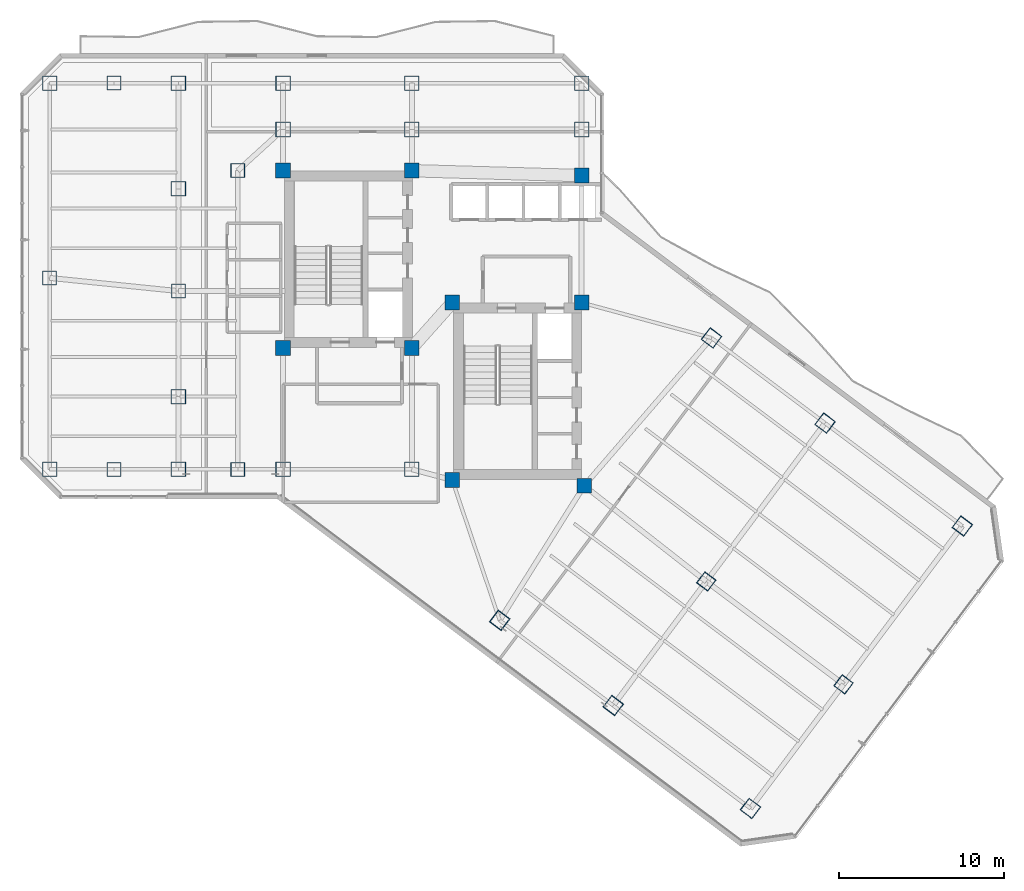
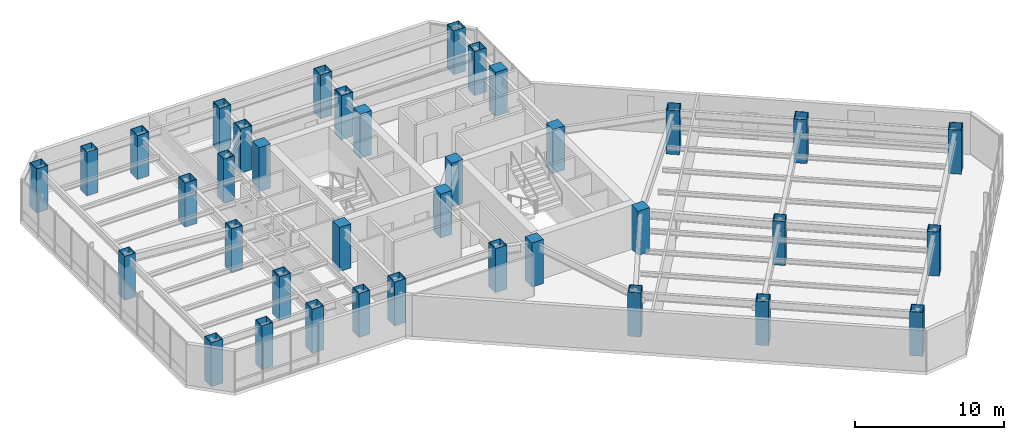
# One storey, part 1 of 29: 37 columns.
"""IFC4 building model written with IfcOpenShell, lengths in metres."""

from ifc_helpers import new_model, si_unit, direction, frame, origin, origin_2d, place, context, subcontext, project, spatial, rectangle, hollow_rectangle, extrude, material, material_profile, profile_set, type_object, element, save


model = new_model("IFC4")

# Units and contexts
model_context = context("Model", 3, precision=1e-05, world=origin(), true_north=direction((0.0, 1.0)))
body_context = subcontext(model_context, "Body", "Model", "MODEL_VIEW")
ifc_project = project(units=[si_unit("LENGTHUNIT", "METRE"), si_unit("AREAUNIT", "SQUARE_METRE"), si_unit("VOLUMEUNIT", "CUBIC_METRE"), si_unit("PLANEANGLEUNIT", "RADIAN"), si_unit("MASSUNIT", "GRAM", prefix="KILO")], contexts=[model_context])

# Site, building, storey
site_placement = place(None, origin())
site = spatial("IfcSite", under=ifc_project, at=site_placement, CompositionType="ELEMENT")
building_placement = place(site_placement, origin())
building = spatial("IfcBuilding", under=site, at=building_placement, Name="Hatsunagi Terrace Concourse", CompositionType="ELEMENT")
storey_placement = place(building_placement, frame((0.0, 0.0, 104.85009765625)))
storey = spatial("IfcBuildingStorey", under=building, at=storey_placement, Name="L27", CompositionType="ELEMENT", Elevation=104.85009765625)

# Columns
ifc_material_1 = material(Name="Concrete Fc48", Category="concrete")
ifc_material_profile_1 = material_profile(ifc_material_1, rectangle(XDim=0.89990234375, YDim=0.89990234375, at=origin_2d()), Name="RC-900x900")
ifc_profile_set_1 = profile_set([ifc_material_profile_1], Name="Concrete Fc48")
column_type_1 = type_object("IfcColumnType", Name="CoreColumn_RC_900x900", PredefinedType="COLUMN", material=ifc_profile_set_1)
for number, where, z_axis, x_axis, name in (
    (1, (25.550048828125, 32.550048828125, 0.0), (0.0, 0.0, 1.0), (1.0, 0.0, 0.0), "Column C-02 L27-CASW"),
    (2, (33.35009765625, 32.550048828125, 0.0), (0.0, 0.0, 1.0), (1.0, 0.0, 0.0), "Column C-02 L27-CASE"),
    (3, (25.550048828125, 43.300048828125, 0.0), (0.0, 0.0, 1.0), (1.0, 0.0, 0.0), "Column C-02 L27-CANW"),
    (4, (33.35009765625, 43.300048828125, 0.0), (0.0, 0.0, 1.0), (1.0, 0.0, 0.0), "Column C-02 L27-CANE"),
    (5, (35.800048828125, 24.550048828125, 0.0), (0.0, 0.0, 1.0), (1.0, 0.0, 0.0), "Column C-02 L27-CBSW"),
    (6, (43.800048828125, 24.199951171875, 0.0), (0.0, 0.0, 1.0), (1.0, 0.0, 0.0), "Column C-02 L27-CBSE"),
    (7, (35.800048828125, 35.300048828125, 0.0), (0.0, 0.0, 1.0), (1.0, 0.0, 0.0), "Column C-02 L27-CBNW"),
    (8, (43.64990234375, 35.300048828125, 0.0), (0.0, 0.0, 1.0), (1.0, 0.0, 0.0), "Column C-02 L27-CBNE"),
    (9, (43.64990234375, 43.0, 0.0), (0.0, 0.0, 1.0), (1.0, 0.0, 0.0), "Column C-02 L27-K3"),
):
    element("IfcColumn", number, at=place(storey_placement, frame(where, z_axis=z_axis, x_axis=x_axis)), inside=storey, type_object=column_type_1, Name=name, PredefinedType="COLUMN", context=body_context, shape_type="SweptSolid", body=[
        extrude(rectangle(XDim=0.89990234375, YDim=0.89990234375, at=origin_2d()), origin(), (0.0, 0.0, 1.0), 3.599853515625),
    ])
ifc_material_2 = material(Name="Steel BCP325T", Category="steel")
ifc_material_profile_2 = material_profile(ifc_material_2, hollow_rectangle(XDim=0.85009765625, YDim=0.85009765625, WallThickness=0.031982421875, at=origin_2d()), Name="BCP-850x850x32")
ifc_profile_set_2 = profile_set([ifc_material_profile_2], Name="Steel BCP325T")
column_type_2 = type_object("IfcColumnType", Name="TowerBoxColumn_850x850x32", PredefinedType="COLUMN", material=ifc_profile_set_2)
for number, where, z_axis, x_axis, name in (
    (10, (22.800048828125, 25.199951171875, 0.0), (0.0, 0.0, 1.0), (1.0, 0.0, 0.0), "Column C-05 L27-CW1"),
    (11, (22.800048828125, 43.300048828125, 0.0), (0.0, 0.0, 1.0), (1.0, 0.0, 0.0), "Column C-05 L27-CW2"),
    (12, (11.39990234375, 36.800048828125, 0.0), (0.0, 0.0, 1.0), (1.0, 0.0, 0.0), "Column C-05 L27-WT1"),
    (13, (19.199951171875, 36.0, 0.0), (0.0, 0.0, 1.0), (1.0, 0.0, 0.0), "Column C-05 L27-WT2"),
    (14, (15.300048828125, 25.199951171875, 0.0), (0.0, 0.0, 1.0), (1.0, 0.0, 0.0), "Column C-05 L27-WT3"),
    (15, (15.300048828125, 48.60009765625, 0.0), (0.0, 0.0, 1.0), (1.0, 0.0, 0.0), "Column C-05 L27-WT4"),
    (16, (51.199951171875, 18.39990234375, 0.0), (0.0, 0.0, 1.0), (0.799999996291, -0.600000004945, 0.0), "Column C-05 L27-SEM2"),
    (17, (59.52001953125, 12.159912109375, 0.0), (0.0, 0.0, 1.0), (0.799999996291, -0.600000004945, 0.0), "Column C-05 L27-SEM3"),
):
    element("IfcColumn", number, at=place(storey_placement, frame(where, z_axis=z_axis, x_axis=x_axis)), inside=storey, type_object=column_type_2, Name=name, PredefinedType="COLUMN", context=body_context, shape_type="SweptSolid", body=[
        extrude(hollow_rectangle(XDim=0.85009765625, YDim=0.85009765625, WallThickness=0.031982421875, at=origin_2d()), origin(), (0.0, 0.0, 1.0), 3.599853515625),
    ])
ifc_material_3 = material(Name="Steel BCP325T", Category="steel")
ifc_material_profile_3 = material_profile(ifc_material_3, hollow_rectangle(XDim=0.89990234375, YDim=0.89990234375, WallThickness=0.035888671875, at=origin_2d()), Name="BCP-900x900x36")
ifc_profile_set_3 = profile_set([ifc_material_profile_3], Name="Steel BCP325T")
column_type_3 = type_object("IfcColumnType", Name="TowerBoxColumn_900x900x36", PredefinedType="COLUMN", material=ifc_profile_set_3)
for number, where, z_axis, x_axis, name in (
    (18, (25.550048828125, 25.199951171875, 0.0), (0.0, 0.0, 1.0), (1.0, 0.0, 0.0), "Column C-04 L27-K1"),
    (19, (33.35009765625, 25.199951171875, 0.0), (0.0, 0.0, 1.0), (1.0, 0.0, 0.0), "Column C-04 L27-K2"),
    (20, (25.550048828125, 45.800048828125, 0.0), (0.0, 0.0, 1.0), (1.0, 0.0, 0.0), "Column C-04 L27-CN1"),
    (21, (33.35009765625, 45.800048828125, 0.0), (0.0, 0.0, 1.0), (1.0, 0.0, 0.0), "Column C-04 L27-CN2"),
    (22, (43.64990234375, 45.800048828125, 0.0), (0.0, 0.0, 1.0), (1.0, 0.0, 0.0), "Column C-04 L27-CN3"),
    (23, (11.39990234375, 25.199951171875, 0.0), (0.0, 0.0, 1.0), (1.0, 0.0, 0.0), "Column C-04 L27-WS2"),
    (24, (11.39990234375, 48.60009765625, 0.0), (0.0, 0.0, 1.0), (1.0, 0.0, 0.0), "Column C-04 L27-WN2"),
    (25, (19.199951171875, 48.60009765625, 0.0), (0.0, 0.0, 1.0), (1.0, 0.0, 0.0), "Column C-04 L27-WN3"),
    (26, (25.550048828125, 48.60009765625, 0.0), (0.0, 0.0, 1.0), (1.0, 0.0, 0.0), "Column C-04 L27-WN4"),
    (27, (33.35009765625, 48.60009765625, 0.0), (0.0, 0.0, 1.0), (1.0, 0.0, 0.0), "Column C-04 L27-WN5"),
    (28, (43.64990234375, 48.60009765625, 0.0), (0.0, 0.0, 1.0), (1.0, 0.0, 0.0), "Column C-04 L27-WN6"),
    (29, (19.199951171875, 25.199951171875, 0.0), (0.0, 0.0, 1.0), (1.0, 0.0, 0.0), "Column C-04 L27-WS3"),
    (30, (19.199951171875, 29.60009765625, 0.0), (0.0, 0.0, 1.0), (1.0, 0.0, 0.0), "Column C-04 L27-WR1"),
    (31, (19.199951171875, 42.199951171875, 0.0), (0.0, 0.0, 1.0), (1.0, 0.0, 0.0), "Column C-04 L27-WR2"),
    (32, (38.679931640625, 16.0400390625, 0.0), (0.0, 0.0, 1.0), (0.799999996291, -0.600000004945, 0.0), "Column C-04 L27-SES1"),
    (33, (51.52001953125, 33.159912109375, 0.0), (0.0, 0.0, 1.0), (0.799999996291, -0.600000004945, 0.0), "Column C-04 L27-SEN1"),
    (34, (45.56005859375, 10.8798828125, 0.0), (0.0, 0.0, 1.0), (0.799999996291, -0.600000004945, 0.0), "Column C-04 L27-SES2"),
    (35, (58.39990234375, 28.0, 0.0), (0.0, 0.0, 1.0), (0.799999996291, -0.600000004945, 0.0), "Column C-04 L27-SEN2"),
    (36, (53.8798828125, 4.639892578125, 0.0), (0.0, 0.0, 1.0), (0.799999996291, -0.600000004945, 0.0), "Column C-04 L27-SES3"),
    (37, (66.719970703125, 21.760009765625, 0.0), (0.0, 0.0, 1.0), (0.799999996291, -0.600000004945, 0.0), "Column C-04 L27-SEN3"),
):
    element("IfcColumn", number, at=place(storey_placement, frame(where, z_axis=z_axis, x_axis=x_axis)), inside=storey, type_object=column_type_3, Name=name, PredefinedType="COLUMN", context=body_context, shape_type="SweptSolid", body=[
        extrude(hollow_rectangle(XDim=0.89990234375, YDim=0.89990234375, WallThickness=0.035888671875, at=origin_2d()), origin(), (0.0, 0.0, 1.0), 3.599853515625),
    ])

save(model, "model.ifc")
